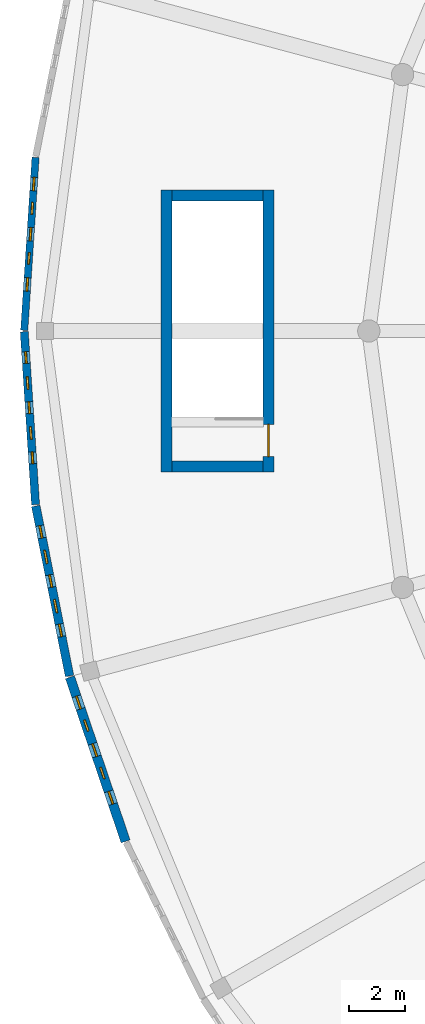
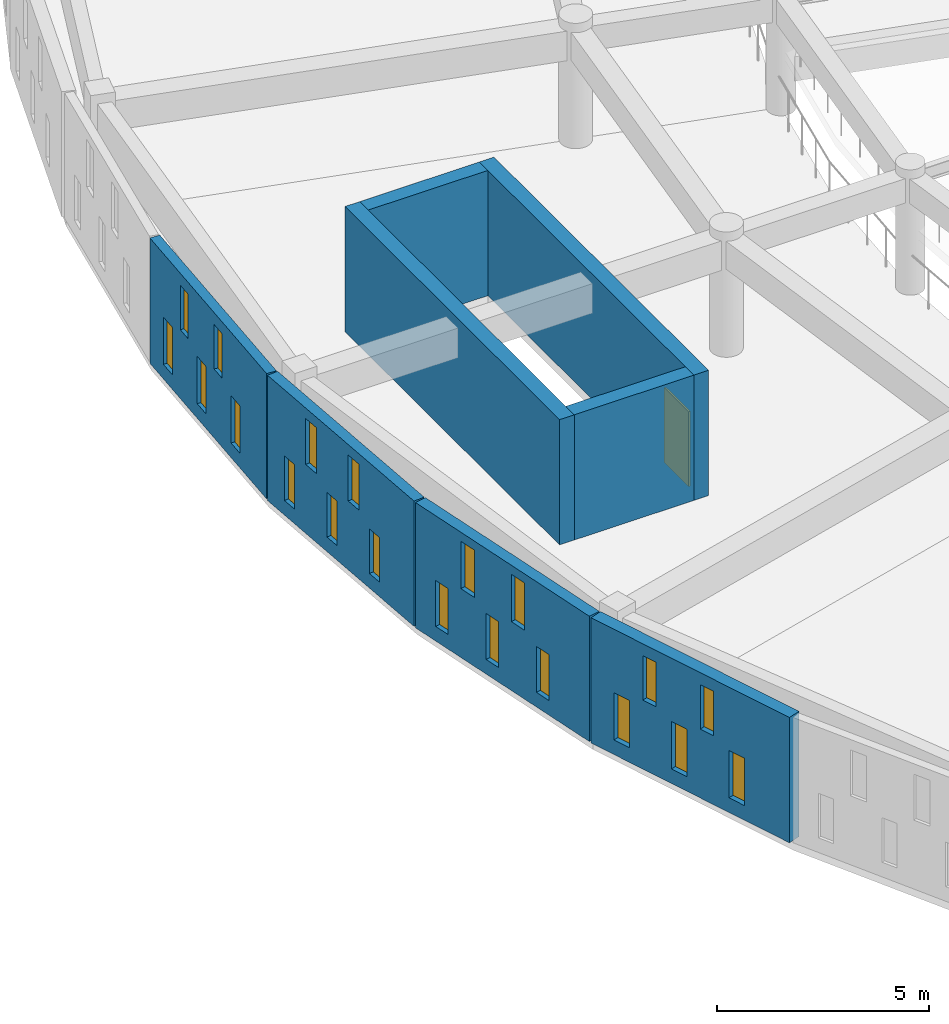
# One storey, part 107 of 155: 20 windows, 8 walls, 1 door, 21 openings.
"""IFC4 building model written with IfcOpenShell, lengths in metres."""

from ifc_helpers import new_model, si_unit, direction, frame, frame_2d, origin, place, context, subcontext, project, spatial, rectangle, extrude, material, layer, layer_set, type_object, element, fill, save


model = new_model("IFC4")

# Units and contexts
model_context = context("Model", 3, precision=1e-05, world=origin(), true_north=direction((0.0, 1.0)))
body_context = subcontext(model_context, "Body", "Model", "MODEL_VIEW")
ifc_project = project(units=[si_unit("LENGTHUNIT", "METRE"), si_unit("AREAUNIT", "SQUARE_METRE"), si_unit("VOLUMEUNIT", "CUBIC_METRE"), si_unit("PLANEANGLEUNIT", "RADIAN"), si_unit("MASSUNIT", "GRAM", prefix="KILO")], contexts=[model_context])

# Site, building, storey
site_placement = place(None, origin())
site = spatial("IfcSite", under=ifc_project, at=site_placement, CompositionType="ELEMENT")
building_placement = place(site_placement, origin())
building = spatial("IfcBuilding", under=site, at=building_placement, Name="Larkveld Mobility Hub", CompositionType="ELEMENT")
storey_placement = place(building_placement, frame((0.0, 0.0, 8.39990234375)))
storey = spatial("IfcBuildingStorey", under=building, at=storey_placement, Name="L02", CompositionType="ELEMENT", Elevation=8.39990234375)

# Wall, openings, windows
ifc_material_1 = material(Name="Fired clay brick 25 MPa", Category="masonry")
ifc_layer_1 = layer(ifc_material_1, 0.260009765625, Name="Fired clay brick 25 MPa", Category="masonry")
ifc_layer_set_1 = layer_set([ifc_layer_1], Name="Fired clay brick 25 MPa")
wall_type_1 = type_object("IfcWallType", Name="WL-BRK-260", PredefinedType="USERDEFINED", material=ifc_layer_set_1)
wall_1_placement = place(storey_placement, frame((0.556884765625, 54.221923828125, 0.0), z_axis=(0.0, 0.0, 1.0), x_axis=(-0.065170180182, -0.997874164219, 0.0)))
wall_1 = element("IfcWall", 1, at=wall_1_placement, inside=storey, type_object=wall_type_1, Name="Drum Woven Open-Bond Brick Chord L02-0114", ObjectType="PERFORATED BRICK SCREEN", PredefinedType="USERDEFINED", context=body_context, shape_type="SweptSolid", body=[
    extrude(rectangle(XDim=6.211181640625, YDim=0.260009765625, at=frame_2d((3.10546875, 0.0))), origin(), (0.0, 0.0, 1.0), 3.60009765625),
])
opening_1_placement = place(wall_1_placement, frame((0.719970703125, 0.0, 0.419921875)))
opening_1 = element("IfcOpeningElement", 2, at=opening_1_placement, cuts=wall_1, Name="Opening W03", PredefinedType="OPENING", context=body_context, shape_type="SweptSolid", body=[
    extrude(rectangle(XDim=0.47998046875, YDim=1.360107421875, at=frame_2d((0.239990234375, 0.68017578125))), frame((0.0, 0.14013671875, 0.0), z_axis=(0.0, -1.0, 0.0), x_axis=(1.0, 0.0, 0.0)), (0.0, 0.0, 1.0), 0.280029296875),
])
opening_2_placement = place(wall_1_placement, frame((2.52001953125, 0.0, 0.419921875)))
opening_2 = element("IfcOpeningElement", 3, at=opening_2_placement, cuts=wall_1, Name="Opening W03", PredefinedType="OPENING", context=body_context, shape_type="SweptSolid", body=[
    extrude(rectangle(XDim=0.47998046875, YDim=1.360107421875, at=frame_2d((0.239990234375, 0.68017578125))), frame((0.0, 0.14013671875, 0.0), z_axis=(0.0, -1.0, 0.0), x_axis=(1.0, 0.0, 0.0)), (0.0, 0.0, 1.0), 0.280029296875),
])
opening_3_placement = place(wall_1_placement, frame((4.320068359375, 0.0, 0.419921875)))
opening_3 = element("IfcOpeningElement", 4, at=opening_3_placement, cuts=wall_1, Name="Opening W03", PredefinedType="OPENING", context=body_context, shape_type="SweptSolid", body=[
    extrude(rectangle(XDim=0.47998046875, YDim=1.360107421875, at=frame_2d((0.239990234375, 0.68017578125))), frame((0.0, 0.14013671875, 0.0), z_axis=(0.0, -1.0, 0.0), x_axis=(1.0, 0.0, 0.0)), (0.0, 0.0, 1.0), 0.280029296875),
])
opening_4_placement = place(wall_1_placement, frame((1.6201171875, 0.0, 1.97998046875)))
opening_4 = element("IfcOpeningElement", 5, at=opening_4_placement, cuts=wall_1, Name="Opening W01", PredefinedType="OPENING", context=body_context, shape_type="SweptSolid", body=[
    extrude(rectangle(XDim=0.419921875, YDim=1.280029296875, at=frame_2d((0.2099609375, 0.64013671875))), frame((0.0, 0.14013671875, 0.0), z_axis=(0.0, -1.0, 0.0), x_axis=(1.0, 0.0, 0.0)), (0.0, 0.0, 1.0), 0.280029296875),
])
opening_5_placement = place(wall_1_placement, frame((3.419921875, 0.0, 1.97998046875)))
opening_5 = element("IfcOpeningElement", 6, at=opening_5_placement, cuts=wall_1, Name="Opening W01", PredefinedType="OPENING", context=body_context, shape_type="SweptSolid", body=[
    extrude(rectangle(XDim=0.419921875, YDim=1.280029296875, at=frame_2d((0.2099609375, 0.64013671875))), frame((0.0, 0.14013671875, 0.0), z_axis=(0.0, -1.0, 0.0), x_axis=(1.0, 0.0, 0.0)), (0.0, 0.0, 1.0), 0.280029296875),
])
ifc_material_2 = material(Name="Extruded aluminium ventilation grille", Category="aluminium")
window_type_1 = type_object("IfcWindowType", Name="WN-VENT-01", PartitioningType="SINGLE_PANEL", PredefinedType="WINDOW", material=ifc_material_2)
window_1_placement = place(opening_4_placement, origin())
window_1 = element("IfcWindow", 7, at=window_1_placement, inside=storey, type_object=window_type_1, Name="Window W01 (0559)", OverallHeight=1.280029296875, OverallWidth=0.419921875, PartitioningType="SINGLE_PANEL", PredefinedType="WINDOW", context=body_context, shape_type="SweptSolid", body=[
    extrude(rectangle(XDim=0.419921875, YDim=1.280029296875, at=frame_2d((0.2099609375, 0.64013671875))), frame((0.0, 0.030029296875, 0.0), z_axis=(0.0, -1.0, 0.0), x_axis=(1.0, 0.0, 0.0)), (0.0, 0.0, 1.0), 0.06005859375),
])
fill(opening_4, window_1)
window_2_placement = place(opening_5_placement, origin())
window_2 = element("IfcWindow", 8, at=window_2_placement, inside=storey, type_object=window_type_1, Name="Window W01 (0560)", OverallHeight=1.280029296875, OverallWidth=0.419921875, PartitioningType="SINGLE_PANEL", PredefinedType="WINDOW", context=body_context, shape_type="SweptSolid", body=[
    extrude(rectangle(XDim=0.419921875, YDim=1.280029296875, at=frame_2d((0.2099609375, 0.64013671875))), frame((0.0, 0.030029296875, 0.0), z_axis=(0.0, -1.0, 0.0), x_axis=(1.0, 0.0, 0.0)), (0.0, 0.0, 1.0), 0.06005859375),
])
fill(opening_5, window_2)
window_type_2 = type_object("IfcWindowType", Name="WN-VENT-03", PartitioningType="SINGLE_PANEL", PredefinedType="WINDOW", material=ifc_material_2)
window_3_placement = place(opening_1_placement, origin())
window_3 = element("IfcWindow", 9, at=window_3_placement, inside=storey, type_object=window_type_2, Name="Window W03 (0556)", OverallHeight=1.360107421875, OverallWidth=0.47998046875, PartitioningType="SINGLE_PANEL", PredefinedType="WINDOW", context=body_context, shape_type="SweptSolid", body=[
    extrude(rectangle(XDim=0.47998046875, YDim=1.360107421875, at=frame_2d((0.239990234375, 0.68017578125))), frame((0.0, 0.030029296875, 0.0), z_axis=(0.0, -1.0, 0.0), x_axis=(1.0, 0.0, 0.0)), (0.0, 0.0, 1.0), 0.06005859375),
])
fill(opening_1, window_3)
window_4_placement = place(opening_2_placement, origin())
window_4 = element("IfcWindow", 10, at=window_4_placement, inside=storey, type_object=window_type_2, Name="Window W03 (0557)", OverallHeight=1.360107421875, OverallWidth=0.47998046875, PartitioningType="SINGLE_PANEL", PredefinedType="WINDOW", context=body_context, shape_type="SweptSolid", body=[
    extrude(rectangle(XDim=0.47998046875, YDim=1.360107421875, at=frame_2d((0.239990234375, 0.68017578125))), frame((0.0, 0.030029296875, 0.0), z_axis=(0.0, -1.0, 0.0), x_axis=(1.0, 0.0, 0.0)), (0.0, 0.0, 1.0), 0.06005859375),
])
fill(opening_2, window_4)
window_5_placement = place(opening_3_placement, origin())
window_5 = element("IfcWindow", 11, at=window_5_placement, inside=storey, type_object=window_type_2, Name="Window W03 (0558)", OverallHeight=1.360107421875, OverallWidth=0.47998046875, PartitioningType="SINGLE_PANEL", PredefinedType="WINDOW", context=body_context, shape_type="SweptSolid", body=[
    extrude(rectangle(XDim=0.47998046875, YDim=1.360107421875, at=frame_2d((0.239990234375, 0.68017578125))), frame((0.0, 0.030029296875, 0.0), z_axis=(0.0, -1.0, 0.0), x_axis=(1.0, 0.0, 0.0)), (0.0, 0.0, 1.0), 0.06005859375),
])
fill(opening_3, window_5)

ifc_layer_2 = layer(ifc_material_1, 0.2900390625, Name="Fired clay brick 25 MPa", Category="masonry")
ifc_layer_set_2 = layer_set([ifc_layer_2], Name="Fired clay brick 25 MPa")
wall_type_2 = type_object("IfcWallType", Name="WL-BRK-290", PredefinedType="USERDEFINED", material=ifc_layer_set_2)
wall_2_placement = place(storey_placement, frame((0.152099609375, 47.97607421875, 0.0), z_axis=(0.0, 0.0, 1.0), x_axis=(0.065170180182, -0.997874164219, 0.0)))
wall_2 = element("IfcWall", 12, at=wall_2_placement, inside=storey, type_object=wall_type_2, Name="Drum Woven Open-Bond Brick Chord L02-0115", ObjectType="PERFORATED BRICK SCREEN", PredefinedType="USERDEFINED", context=body_context, shape_type="SweptSolid", body=[
    extrude(rectangle(XDim=6.211181640625, YDim=0.2900390625, at=frame_2d((3.10546875, 0.0))), origin(), (0.0, 0.0, 1.0), 3.60009765625),
])
opening_6_placement = place(wall_2_placement, frame((0.719970703125, 0.0, 0.419921875)))
opening_6 = element("IfcOpeningElement", 13, at=opening_6_placement, cuts=wall_2, Name="Opening W01", PredefinedType="OPENING", context=body_context, shape_type="SweptSolid", body=[
    extrude(rectangle(XDim=0.419921875, YDim=1.280029296875, at=frame_2d((0.2099609375, 0.64013671875))), frame((0.0, 0.155029296875, 0.0), z_axis=(0.0, -1.0, 0.0), x_axis=(1.0, 0.0, 0.0)), (0.0, 0.0, 1.0), 0.31005859375),
])
opening_7_placement = place(wall_2_placement, frame((2.52001953125, 0.0, 0.419921875)))
opening_7 = element("IfcOpeningElement", 14, at=opening_7_placement, cuts=wall_2, Name="Opening W01", PredefinedType="OPENING", context=body_context, shape_type="SweptSolid", body=[
    extrude(rectangle(XDim=0.419921875, YDim=1.280029296875, at=frame_2d((0.2099609375, 0.64013671875))), frame((0.0, 0.155029296875, 0.0), z_axis=(0.0, -1.0, 0.0), x_axis=(1.0, 0.0, 0.0)), (0.0, 0.0, 1.0), 0.31005859375),
])
opening_8_placement = place(wall_2_placement, frame((4.320068359375, 0.0, 0.419921875)))
opening_8 = element("IfcOpeningElement", 15, at=opening_8_placement, cuts=wall_2, Name="Opening W01", PredefinedType="OPENING", context=body_context, shape_type="SweptSolid", body=[
    extrude(rectangle(XDim=0.419921875, YDim=1.280029296875, at=frame_2d((0.2099609375, 0.64013671875))), frame((0.0, 0.155029296875, 0.0), z_axis=(0.0, -1.0, 0.0), x_axis=(1.0, 0.0, 0.0)), (0.0, 0.0, 1.0), 0.31005859375),
])
opening_9_placement = place(wall_2_placement, frame((1.6201171875, 0.0, 1.97998046875)))
opening_9 = element("IfcOpeningElement", 16, at=opening_9_placement, cuts=wall_2, Name="Opening W02", PredefinedType="OPENING", context=body_context, shape_type="SweptSolid", body=[
    extrude(rectangle(XDim=0.449951171875, YDim=1.320068359375, at=frame_2d((0.22509765625, 0.66015625))), frame((0.0, 0.155029296875, 0.0), z_axis=(0.0, -1.0, 0.0), x_axis=(1.0, 0.0, 0.0)), (0.0, 0.0, 1.0), 0.31005859375),
])
opening_10_placement = place(wall_2_placement, frame((3.419921875, 0.0, 1.97998046875)))
opening_10 = element("IfcOpeningElement", 17, at=opening_10_placement, cuts=wall_2, Name="Opening W02", PredefinedType="OPENING", context=body_context, shape_type="SweptSolid", body=[
    extrude(rectangle(XDim=0.449951171875, YDim=1.320068359375, at=frame_2d((0.22509765625, 0.66015625))), frame((0.0, 0.155029296875, 0.0), z_axis=(0.0, -1.0, 0.0), x_axis=(1.0, 0.0, 0.0)), (0.0, 0.0, 1.0), 0.31005859375),
])
window_6_placement = place(opening_6_placement, origin())
window_6 = element("IfcWindow", 18, at=window_6_placement, inside=storey, type_object=window_type_1, Name="Window W01 (0561)", OverallHeight=1.280029296875, OverallWidth=0.419921875, PartitioningType="SINGLE_PANEL", PredefinedType="WINDOW", context=body_context, shape_type="SweptSolid", body=[
    extrude(rectangle(XDim=0.419921875, YDim=1.280029296875, at=frame_2d((0.2099609375, 0.64013671875))), frame((0.0, 0.030029296875, 0.0), z_axis=(0.0, -1.0, 0.0), x_axis=(1.0, 0.0, 0.0)), (0.0, 0.0, 1.0), 0.06005859375),
])
fill(opening_6, window_6)
window_7_placement = place(opening_7_placement, origin())
window_7 = element("IfcWindow", 19, at=window_7_placement, inside=storey, type_object=window_type_1, Name="Window W01 (0562)", OverallHeight=1.280029296875, OverallWidth=0.419921875, PartitioningType="SINGLE_PANEL", PredefinedType="WINDOW", context=body_context, shape_type="SweptSolid", body=[
    extrude(rectangle(XDim=0.419921875, YDim=1.280029296875, at=frame_2d((0.2099609375, 0.64013671875))), frame((0.0, 0.030029296875, 0.0), z_axis=(0.0, -1.0, 0.0), x_axis=(1.0, 0.0, 0.0)), (0.0, 0.0, 1.0), 0.06005859375),
])
fill(opening_7, window_7)
window_8_placement = place(opening_8_placement, origin())
window_8 = element("IfcWindow", 20, at=window_8_placement, inside=storey, type_object=window_type_1, Name="Window W01 (0563)", OverallHeight=1.280029296875, OverallWidth=0.419921875, PartitioningType="SINGLE_PANEL", PredefinedType="WINDOW", context=body_context, shape_type="SweptSolid", body=[
    extrude(rectangle(XDim=0.419921875, YDim=1.280029296875, at=frame_2d((0.2099609375, 0.64013671875))), frame((0.0, 0.030029296875, 0.0), z_axis=(0.0, -1.0, 0.0), x_axis=(1.0, 0.0, 0.0)), (0.0, 0.0, 1.0), 0.06005859375),
])
fill(opening_8, window_8)
window_type_3 = type_object("IfcWindowType", Name="WN-VENT-02", PartitioningType="SINGLE_PANEL", PredefinedType="WINDOW", material=ifc_material_2)
window_9_placement = place(opening_9_placement, origin())
window_9 = element("IfcWindow", 21, at=window_9_placement, inside=storey, type_object=window_type_3, Name="Window W02 (0564)", OverallHeight=1.320068359375, OverallWidth=0.449951171875, PartitioningType="SINGLE_PANEL", PredefinedType="WINDOW", context=body_context, shape_type="SweptSolid", body=[
    extrude(rectangle(XDim=0.449951171875, YDim=1.320068359375, at=frame_2d((0.22509765625, 0.66015625))), frame((0.0, 0.030029296875, 0.0), z_axis=(0.0, -1.0, 0.0), x_axis=(1.0, 0.0, 0.0)), (0.0, 0.0, 1.0), 0.06005859375),
])
fill(opening_9, window_9)
window_10_placement = place(opening_10_placement, origin())
window_10 = element("IfcWindow", 22, at=window_10_placement, inside=storey, type_object=window_type_3, Name="Window W02 (0565)", OverallHeight=1.320068359375, OverallWidth=0.449951171875, PartitioningType="SINGLE_PANEL", PredefinedType="WINDOW", context=body_context, shape_type="SweptSolid", body=[
    extrude(rectangle(XDim=0.449951171875, YDim=1.320068359375, at=frame_2d((0.22509765625, 0.66015625))), frame((0.0, 0.030029296875, 0.0), z_axis=(0.0, -1.0, 0.0), x_axis=(1.0, 0.0, 0.0)), (0.0, 0.0, 1.0), 0.06005859375),
])
fill(opening_10, window_10)

ifc_layer_3 = layer(ifc_material_1, 0.31005859375, Name="Fired clay brick 25 MPa", Category="masonry")
ifc_layer_set_3 = layer_set([ifc_layer_3], Name="Fired clay brick 25 MPa")
wall_type_3 = type_object("IfcWallType", Name="WL-BRK-310", PredefinedType="USERDEFINED", material=ifc_layer_set_3)
wall_3_placement = place(storey_placement, frame((0.56396484375, 41.72998046875, 0.0), z_axis=(0.0, 0.0, 1.0), x_axis=(0.195019632022, -0.980799338869, 0.0)))
wall_3 = element("IfcWall", 23, at=wall_3_placement, inside=storey, type_object=wall_type_3, Name="Drum Woven Open-Bond Brick Chord L02-0116", ObjectType="PERFORATED BRICK SCREEN", PredefinedType="USERDEFINED", context=body_context, shape_type="SweptSolid", body=[
    extrude(rectangle(XDim=6.209228515625, YDim=0.31005859375, at=frame_2d((3.1044921875, 0.0))), origin(), (0.0, 0.0, 1.0), 3.60009765625),
])
opening_11_placement = place(wall_3_placement, frame((0.719970703125, 0.0, 0.419921875)))
opening_11 = element("IfcOpeningElement", 24, at=opening_11_placement, cuts=wall_3, Name="Opening W02", PredefinedType="OPENING", context=body_context, shape_type="SweptSolid", body=[
    extrude(rectangle(XDim=0.449951171875, YDim=1.320068359375, at=frame_2d((0.22509765625, 0.66015625))), frame((0.0, 0.1650390625, 0.0), z_axis=(0.0, -1.0, 0.0), x_axis=(1.0, 0.0, 0.0)), (0.0, 0.0, 1.0), 0.330078125),
])
opening_12_placement = place(wall_3_placement, frame((2.52001953125, 0.0, 0.419921875)))
opening_12 = element("IfcOpeningElement", 25, at=opening_12_placement, cuts=wall_3, Name="Opening W02", PredefinedType="OPENING", context=body_context, shape_type="SweptSolid", body=[
    extrude(rectangle(XDim=0.449951171875, YDim=1.320068359375, at=frame_2d((0.22509765625, 0.66015625))), frame((0.0, 0.1650390625, 0.0), z_axis=(0.0, -1.0, 0.0), x_axis=(1.0, 0.0, 0.0)), (0.0, 0.0, 1.0), 0.330078125),
])
opening_13_placement = place(wall_3_placement, frame((4.320068359375, 0.0, 0.419921875)))
opening_13 = element("IfcOpeningElement", 26, at=opening_13_placement, cuts=wall_3, Name="Opening W02", PredefinedType="OPENING", context=body_context, shape_type="SweptSolid", body=[
    extrude(rectangle(XDim=0.449951171875, YDim=1.320068359375, at=frame_2d((0.22509765625, 0.66015625))), frame((0.0, 0.1650390625, 0.0), z_axis=(0.0, -1.0, 0.0), x_axis=(1.0, 0.0, 0.0)), (0.0, 0.0, 1.0), 0.330078125),
])
opening_14_placement = place(wall_3_placement, frame((1.6201171875, 0.0, 1.97998046875)))
opening_14 = element("IfcOpeningElement", 27, at=opening_14_placement, cuts=wall_3, Name="Opening W03", PredefinedType="OPENING", context=body_context, shape_type="SweptSolid", body=[
    extrude(rectangle(XDim=0.47998046875, YDim=1.360107421875, at=frame_2d((0.239990234375, 0.68017578125))), frame((0.0, 0.1650390625, 0.0), z_axis=(0.0, -1.0, 0.0), x_axis=(1.0, 0.0, 0.0)), (0.0, 0.0, 1.0), 0.330078125),
])
opening_15_placement = place(wall_3_placement, frame((3.419921875, 0.0, 1.97998046875)))
opening_15 = element("IfcOpeningElement", 28, at=opening_15_placement, cuts=wall_3, Name="Opening W03", PredefinedType="OPENING", context=body_context, shape_type="SweptSolid", body=[
    extrude(rectangle(XDim=0.47998046875, YDim=1.360107421875, at=frame_2d((0.239990234375, 0.68017578125))), frame((0.0, 0.1650390625, 0.0), z_axis=(0.0, -1.0, 0.0), x_axis=(1.0, 0.0, 0.0)), (0.0, 0.0, 1.0), 0.330078125),
])
window_11_placement = place(opening_11_placement, origin())
window_11 = element("IfcWindow", 29, at=window_11_placement, inside=storey, type_object=window_type_3, Name="Window W02 (0566)", OverallHeight=1.320068359375, OverallWidth=0.449951171875, PartitioningType="SINGLE_PANEL", PredefinedType="WINDOW", context=body_context, shape_type="SweptSolid", body=[
    extrude(rectangle(XDim=0.449951171875, YDim=1.320068359375, at=frame_2d((0.22509765625, 0.66015625))), frame((0.0, 0.030029296875, 0.0), z_axis=(0.0, -1.0, 0.0), x_axis=(1.0, 0.0, 0.0)), (0.0, 0.0, 1.0), 0.06005859375),
])
fill(opening_11, window_11)
window_12_placement = place(opening_12_placement, origin())
window_12 = element("IfcWindow", 30, at=window_12_placement, inside=storey, type_object=window_type_3, Name="Window W02 (0567)", OverallHeight=1.320068359375, OverallWidth=0.449951171875, PartitioningType="SINGLE_PANEL", PredefinedType="WINDOW", context=body_context, shape_type="SweptSolid", body=[
    extrude(rectangle(XDim=0.449951171875, YDim=1.320068359375, at=frame_2d((0.22509765625, 0.66015625))), frame((0.0, 0.030029296875, 0.0), z_axis=(0.0, -1.0, 0.0), x_axis=(1.0, 0.0, 0.0)), (0.0, 0.0, 1.0), 0.06005859375),
])
fill(opening_12, window_12)
window_13_placement = place(opening_13_placement, origin())
window_13 = element("IfcWindow", 31, at=window_13_placement, inside=storey, type_object=window_type_3, Name="Window W02 (0568)", OverallHeight=1.320068359375, OverallWidth=0.449951171875, PartitioningType="SINGLE_PANEL", PredefinedType="WINDOW", context=body_context, shape_type="SweptSolid", body=[
    extrude(rectangle(XDim=0.449951171875, YDim=1.320068359375, at=frame_2d((0.22509765625, 0.66015625))), frame((0.0, 0.030029296875, 0.0), z_axis=(0.0, -1.0, 0.0), x_axis=(1.0, 0.0, 0.0)), (0.0, 0.0, 1.0), 0.06005859375),
])
fill(opening_13, window_13)
window_14_placement = place(opening_14_placement, origin())
window_14 = element("IfcWindow", 32, at=window_14_placement, inside=storey, type_object=window_type_2, Name="Window W03 (0569)", OverallHeight=1.360107421875, OverallWidth=0.47998046875, PartitioningType="SINGLE_PANEL", PredefinedType="WINDOW", context=body_context, shape_type="SweptSolid", body=[
    extrude(rectangle(XDim=0.47998046875, YDim=1.360107421875, at=frame_2d((0.239990234375, 0.68017578125))), frame((0.0, 0.030029296875, 0.0), z_axis=(0.0, -1.0, 0.0), x_axis=(1.0, 0.0, 0.0)), (0.0, 0.0, 1.0), 0.06005859375),
])
fill(opening_14, window_14)
window_15_placement = place(opening_15_placement, origin())
window_15 = element("IfcWindow", 33, at=window_15_placement, inside=storey, type_object=window_type_2, Name="Window W03 (0570)", OverallHeight=1.360107421875, OverallWidth=0.47998046875, PartitioningType="SINGLE_PANEL", PredefinedType="WINDOW", context=body_context, shape_type="SweptSolid", body=[
    extrude(rectangle(XDim=0.47998046875, YDim=1.360107421875, at=frame_2d((0.239990234375, 0.68017578125))), frame((0.0, 0.030029296875, 0.0), z_axis=(0.0, -1.0, 0.0), x_axis=(1.0, 0.0, 0.0)), (0.0, 0.0, 1.0), 0.06005859375),
])
fill(opening_15, window_15)

ifc_layer_4 = layer(ifc_material_1, 0.340087890625, Name="Fired clay brick 25 MPa", Category="masonry")
ifc_layer_set_4 = layer_set([ifc_layer_4], Name="Fired clay brick 25 MPa")
wall_type_4 = type_object("IfcWallType", Name="WL-BRK-340", PredefinedType="USERDEFINED", material=ifc_layer_set_4)
wall_4_placement = place(storey_placement, frame((1.7880859375, 35.593017578125, 0.0), z_axis=(0.0, 0.0, 1.0), x_axis=(0.321364960579, -0.946955417172, 0.0)))
wall_4 = element("IfcWall", 34, at=wall_4_placement, inside=storey, type_object=wall_type_4, Name="Drum Woven Open-Bond Brick Chord L02-0117", ObjectType="PERFORATED BRICK SCREEN", PredefinedType="USERDEFINED", context=body_context, shape_type="SweptSolid", body=[
    extrude(rectangle(XDim=6.21044921875, YDim=0.340087890625, at=frame_2d((3.105224609375, 0.0))), origin(), (0.0, 0.0, 1.0), 3.60009765625),
])
opening_16_placement = place(wall_4_placement, frame((0.719970703125, 0.0, 0.419921875)))
opening_16 = element("IfcOpeningElement", 35, at=opening_16_placement, cuts=wall_4, Name="Opening W03", PredefinedType="OPENING", context=body_context, shape_type="SweptSolid", body=[
    extrude(rectangle(XDim=0.47998046875, YDim=1.360107421875, at=frame_2d((0.239990234375, 0.68017578125))), frame((0.0, 0.18017578125, 0.0), z_axis=(0.0, -1.0, 0.0), x_axis=(1.0, 0.0, 0.0)), (0.0, 0.0, 1.0), 0.360107421875),
])
opening_17_placement = place(wall_4_placement, frame((2.52001953125, 0.0, 0.419921875)))
opening_17 = element("IfcOpeningElement", 36, at=opening_17_placement, cuts=wall_4, Name="Opening W03", PredefinedType="OPENING", context=body_context, shape_type="SweptSolid", body=[
    extrude(rectangle(XDim=0.47998046875, YDim=1.360107421875, at=frame_2d((0.239990234375, 0.68017578125))), frame((0.0, 0.18017578125, 0.0), z_axis=(0.0, -1.0, 0.0), x_axis=(1.0, 0.0, 0.0)), (0.0, 0.0, 1.0), 0.360107421875),
])
opening_18_placement = place(wall_4_placement, frame((4.320068359375, 0.0, 0.419921875)))
opening_18 = element("IfcOpeningElement", 37, at=opening_18_placement, cuts=wall_4, Name="Opening W03", PredefinedType="OPENING", context=body_context, shape_type="SweptSolid", body=[
    extrude(rectangle(XDim=0.47998046875, YDim=1.360107421875, at=frame_2d((0.239990234375, 0.68017578125))), frame((0.0, 0.18017578125, 0.0), z_axis=(0.0, -1.0, 0.0), x_axis=(1.0, 0.0, 0.0)), (0.0, 0.0, 1.0), 0.360107421875),
])
opening_19_placement = place(wall_4_placement, frame((1.6201171875, 0.0, 1.97998046875)))
opening_19 = element("IfcOpeningElement", 38, at=opening_19_placement, cuts=wall_4, Name="Opening W01", PredefinedType="OPENING", context=body_context, shape_type="SweptSolid", body=[
    extrude(rectangle(XDim=0.419921875, YDim=1.280029296875, at=frame_2d((0.2099609375, 0.64013671875))), frame((0.0, 0.18017578125, 0.0), z_axis=(0.0, -1.0, 0.0), x_axis=(1.0, 0.0, 0.0)), (0.0, 0.0, 1.0), 0.360107421875),
])
opening_20_placement = place(wall_4_placement, frame((3.419921875, 0.0, 1.97998046875)))
opening_20 = element("IfcOpeningElement", 39, at=opening_20_placement, cuts=wall_4, Name="Opening W01", PredefinedType="OPENING", context=body_context, shape_type="SweptSolid", body=[
    extrude(rectangle(XDim=0.419921875, YDim=1.280029296875, at=frame_2d((0.2099609375, 0.64013671875))), frame((0.0, 0.18017578125, 0.0), z_axis=(0.0, -1.0, 0.0), x_axis=(1.0, 0.0, 0.0)), (0.0, 0.0, 1.0), 0.360107421875),
])
window_16_placement = place(opening_19_placement, origin())
window_16 = element("IfcWindow", 40, at=window_16_placement, inside=storey, type_object=window_type_1, Name="Window W01 (0574)", OverallHeight=1.280029296875, OverallWidth=0.419921875, PartitioningType="SINGLE_PANEL", PredefinedType="WINDOW", context=body_context, shape_type="SweptSolid", body=[
    extrude(rectangle(XDim=0.419921875, YDim=1.280029296875, at=frame_2d((0.2099609375, 0.64013671875))), frame((0.0, 0.030029296875, 0.0), z_axis=(0.0, -1.0, 0.0), x_axis=(1.0, 0.0, 0.0)), (0.0, 0.0, 1.0), 0.06005859375),
])
fill(opening_19, window_16)
window_17_placement = place(opening_20_placement, origin())
window_17 = element("IfcWindow", 41, at=window_17_placement, inside=storey, type_object=window_type_1, Name="Window W01 (0575)", OverallHeight=1.280029296875, OverallWidth=0.419921875, PartitioningType="SINGLE_PANEL", PredefinedType="WINDOW", context=body_context, shape_type="SweptSolid", body=[
    extrude(rectangle(XDim=0.419921875, YDim=1.280029296875, at=frame_2d((0.2099609375, 0.64013671875))), frame((0.0, 0.030029296875, 0.0), z_axis=(0.0, -1.0, 0.0), x_axis=(1.0, 0.0, 0.0)), (0.0, 0.0, 1.0), 0.06005859375),
])
fill(opening_20, window_17)
window_18_placement = place(opening_16_placement, origin())
window_18 = element("IfcWindow", 42, at=window_18_placement, inside=storey, type_object=window_type_2, Name="Window W03 (0571)", OverallHeight=1.360107421875, OverallWidth=0.47998046875, PartitioningType="SINGLE_PANEL", PredefinedType="WINDOW", context=body_context, shape_type="SweptSolid", body=[
    extrude(rectangle(XDim=0.47998046875, YDim=1.360107421875, at=frame_2d((0.239990234375, 0.68017578125))), frame((0.0, 0.030029296875, 0.0), z_axis=(0.0, -1.0, 0.0), x_axis=(1.0, 0.0, 0.0)), (0.0, 0.0, 1.0), 0.06005859375),
])
fill(opening_16, window_18)
window_19_placement = place(opening_17_placement, origin())
window_19 = element("IfcWindow", 43, at=window_19_placement, inside=storey, type_object=window_type_2, Name="Window W03 (0572)", OverallHeight=1.360107421875, OverallWidth=0.47998046875, PartitioningType="SINGLE_PANEL", PredefinedType="WINDOW", context=body_context, shape_type="SweptSolid", body=[
    extrude(rectangle(XDim=0.47998046875, YDim=1.360107421875, at=frame_2d((0.239990234375, 0.68017578125))), frame((0.0, 0.030029296875, 0.0), z_axis=(0.0, -1.0, 0.0), x_axis=(1.0, 0.0, 0.0)), (0.0, 0.0, 1.0), 0.06005859375),
])
fill(opening_17, window_19)
window_20_placement = place(opening_18_placement, origin())
window_20 = element("IfcWindow", 44, at=window_20_placement, inside=storey, type_object=window_type_2, Name="Window W03 (0573)", OverallHeight=1.360107421875, OverallWidth=0.47998046875, PartitioningType="SINGLE_PANEL", PredefinedType="WINDOW", context=body_context, shape_type="SweptSolid", body=[
    extrude(rectangle(XDim=0.47998046875, YDim=1.360107421875, at=frame_2d((0.239990234375, 0.68017578125))), frame((0.0, 0.030029296875, 0.0), z_axis=(0.0, -1.0, 0.0), x_axis=(1.0, 0.0, 0.0)), (0.0, 0.0, 1.0), 0.06005859375),
])
fill(opening_18, window_20)

# Wall
ifc_material_3 = material(Name="Concrete C40/50", Category="concrete")
ifc_layer_5 = layer(ifc_material_3, 0.39990234375, Name="Concrete C40/50", Category="concrete")
ifc_layer_set_5 = layer_set([ifc_layer_5], Name="Concrete C40/50")
wall_type_5 = type_object("IfcWallType", Name="WL-SHR-07", PredefinedType="SHEAR", material=ifc_layer_set_5)
wall_5_placement = place(storey_placement, frame((5.25, 42.949951171875, 0.0), z_axis=(0.0, 0.0, 1.0), x_axis=(0.0, 1.0, 0.0)))
element("IfcWall", 45, at=wall_5_placement, inside=storey, type_object=wall_type_5, Name="Core C7 Stair Shear Wall L02-W", PredefinedType="SHEAR", context=body_context, shape_type="SweptSolid", body=[
    extrude(rectangle(XDim=10.10009765625, YDim=0.39990234375, at=frame_2d((5.050048828125, 0.0))), origin(), (0.0, 0.0, 1.0), 3.60009765625),
])

# Wall, opening, door
wall_6_placement = place(storey_placement, frame((8.89990234375, 53.050048828125, 0.0), z_axis=(0.0, 0.0, 1.0), x_axis=(0.0, -1.0, 0.0)))
wall_6 = element("IfcWall", 46, at=wall_6_placement, inside=storey, type_object=wall_type_5, Name="Core C7 Stair Shear Wall L02-E", PredefinedType="SHEAR", context=body_context, shape_type="SweptSolid", body=[
    extrude(rectangle(XDim=10.10009765625, YDim=0.39990234375, at=frame_2d((5.050048828125, 0.0))), origin(), (0.0, 0.0, 1.0), 3.60009765625),
])
opening_21_placement = place(wall_6_placement, frame((8.39990234375, 0.0, 0.0)))
opening_21 = element("IfcOpeningElement", 47, at=opening_21_placement, cuts=wall_6, Name="Opening DF01", PredefinedType="OPENING", context=body_context, shape_type="SweptSolid", body=[
    extrude(rectangle(XDim=1.14990234375, YDim=2.14990234375, at=frame_2d((0.574951171875, 1.074951171875))), frame((0.0, 0.2099609375, 0.0), z_axis=(0.0, -1.0, 0.0), x_axis=(1.0, 0.0, 0.0)), (0.0, 0.0, 1.0), 0.419921875),
])
ifc_material_4 = material(Name="Pressed Steel S355JR fire door assembly", Category="steel")
door_type = type_object("IfcDoorType", Name="DR-FD120", OperationType="NOTDEFINED", PredefinedType="DOOR", material=ifc_material_4)
door_placement = place(opening_21_placement, origin())
door = element("IfcDoor", 48, at=door_placement, inside=storey, type_object=door_type, Name="Stair ST7 Fire Door L02", OperationType="SINGLE_SWING_RIGHT", OverallHeight=2.14990234375, OverallWidth=1.14990234375, PredefinedType="DOOR", context=body_context, shape_type="SweptSolid", body=[
    extrude(rectangle(XDim=1.14990234375, YDim=2.14990234375, at=frame_2d((0.574951171875, 1.074951171875))), frame((0.0, 0.02490234375, 0.0), z_axis=(0.0, -1.0, 0.0), x_axis=(1.0, 0.0, 0.0)), (0.0, 0.0, 1.0), 0.050048828125),
])
fill(opening_21, door)

# Walls
for number, where, z_axis, x_axis, name in (
    (49, (8.699951171875, 43.14990234375, 0.0), (0.0, 0.0, 1.0), (-1.0, 0.0, 0.0), "Core C7 Stair Shear Wall L02-S"),
    (50, (5.449951171875, 52.85009765625, 0.0), (0.0, 0.0, 1.0), (1.0, 0.0, 0.0), "Core C7 Stair Shear Wall L02-N"),
):
    element("IfcWall", number, at=place(storey_placement, frame(where, z_axis=z_axis, x_axis=x_axis)), inside=storey, type_object=wall_type_5, Name=name, PredefinedType="SHEAR", context=body_context, shape_type="SweptSolid", body=[
        extrude(rectangle(XDim=3.25, YDim=0.39990234375, at=frame_2d((1.625, 0.0))), origin(), (0.0, 0.0, 1.0), 3.60009765625),
    ])

save(model, "model.ifc")
